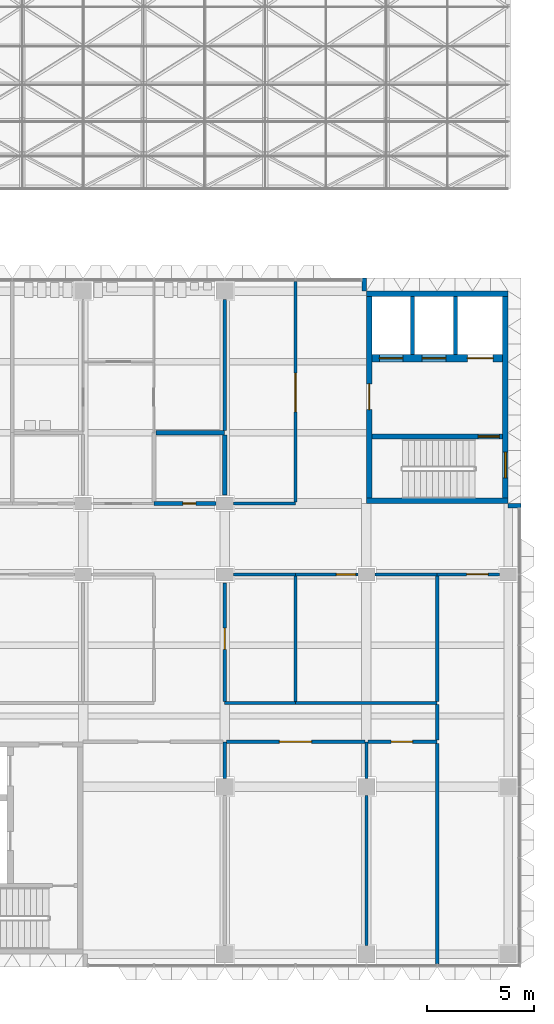
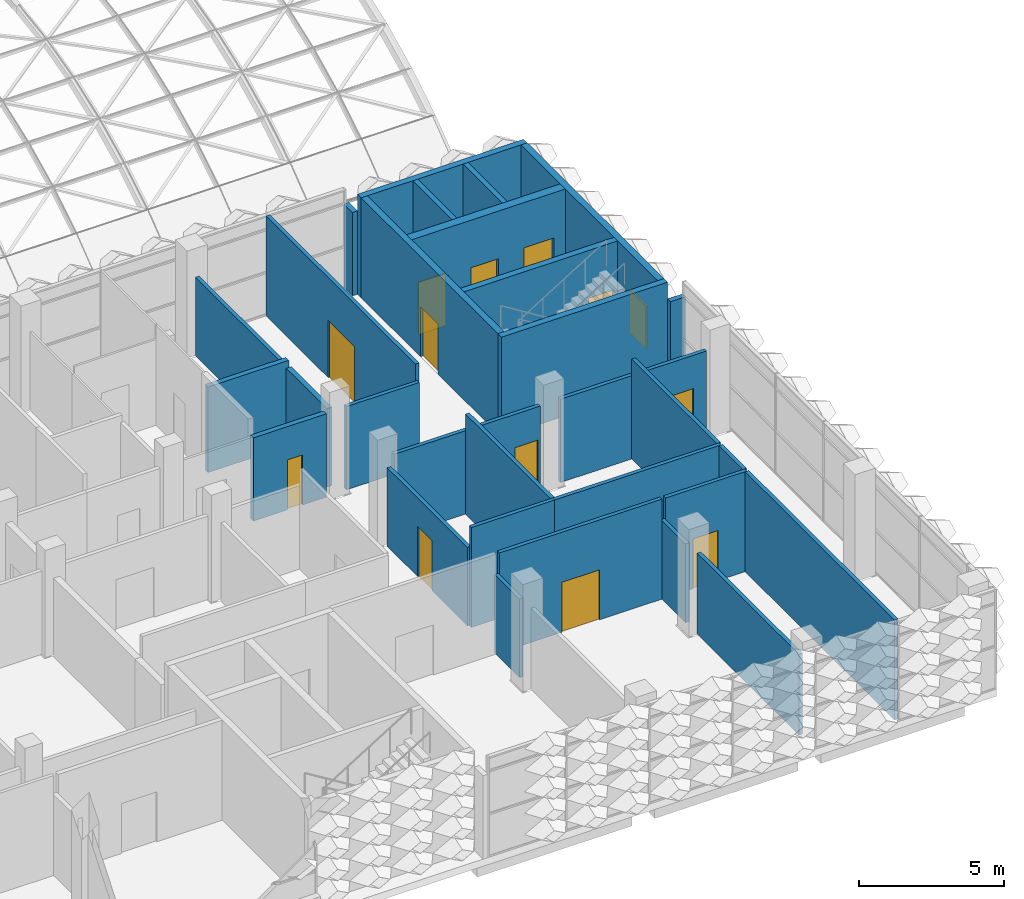
# One storey, part 30 of 85: 32 walls, 12 doors, 1 window, 13 openings.
"""IFC4 building model written with IfcOpenShell, lengths in metres."""

from ifc_helpers import new_model, si_unit, direction, frame, frame_2d, origin, place, context, subcontext, project, spatial, rectangle, extrude, material, layer, layer_set, type_object, element, fill, save


model = new_model("IFC4")

# Units and contexts
model_context = context("Model", 3, precision=1e-05, world=origin(), true_north=direction((0.0, 1.0)))
body_context = subcontext(model_context, "Body", "Model", "MODEL_VIEW")
ifc_project = project(units=[si_unit("LENGTHUNIT", "METRE"), si_unit("AREAUNIT", "SQUARE_METRE"), si_unit("VOLUMEUNIT", "CUBIC_METRE"), si_unit("PLANEANGLEUNIT", "RADIAN"), si_unit("MASSUNIT", "GRAM", prefix="KILO")], contexts=[model_context])

# Site, building, storey
site_placement = place(None, origin())
site = spatial("IfcSite", under=ifc_project, at=site_placement, CompositionType="ELEMENT")
building_placement = place(site_placement, origin())
building = spatial("IfcBuilding", under=site, at=building_placement, Name="Lantern Court Research Institute", CompositionType="ELEMENT")
storey_placement = place(building_placement, frame((0.0, 0.0, 18.89990234375)))
storey = spatial("IfcBuildingStorey", under=building, at=storey_placement, Name="L04", CompositionType="ELEMENT", Elevation=18.89990234375)

# Wall, opening, door
ifc_material_1 = material(Name="Fire-rated gypsum board partition, mineral wool filled")
ifc_layer_1 = layer(ifc_material_1, 0.199951171875)
ifc_layer_set_1 = layer_set([ifc_layer_1], Name="Fire-rated gypsum board partition, mineral wool filled")
wall_type_1 = type_object("IfcWallType", Name="Compartment wall 200 EI 120", PredefinedType="PARTITIONING", material=ifc_layer_set_1)
wall_1_placement = place(storey_placement, frame((62.699951171875, 13.199951171875, 0.0), z_axis=(0.0, 0.0, 1.0), x_axis=(1.0, 0.0, 0.0)))
wall_1 = element("IfcWall", 1, at=wall_1_placement, inside=storey, type_object=wall_type_1, Name="Compartment wall 200 EI 120", PredefinedType="PARTITIONING", context=body_context, shape_type="SweptSolid", body=[
    extrude(rectangle(XDim=2.900146484375, YDim=0.199951171875, at=frame_2d((1.4501953125, 0.0))), origin(), (0.0, 0.0, 1.0), 3.5),
])
opening_1_placement = place(wall_1_placement, frame((1.35009765625, 0.0, 0.0)))
opening_1 = element("IfcOpeningElement", 2, at=opening_1_placement, cuts=wall_1, Name="Opening D5406", PredefinedType="OPENING", context=body_context, shape_type="SweptSolid", body=[
    extrude(rectangle(XDim=0.60009765625, YDim=2.10009765625, at=frame_2d((0.300048828125, 1.050048828125))), frame((0.0, 0.10986328125, 0.0), z_axis=(0.0, -1.0, 0.0), x_axis=(1.0, 0.0, 0.0)), (0.0, 0.0, 1.0), 0.219970703125),
])
ifc_material_2 = material(Name="Solid-core timber door leaf", Category="wood")
ifc_layer_2 = layer(ifc_material_2, 0.06005859375)
ifc_layer_set_2 = layer_set([ifc_layer_2], Name="Solid-core timber door leaf")
door_type_1 = type_object("IfcDoorType", Name="Service riser door 600 x 2100 single FD60", OperationType="NOTDEFINED", PredefinedType="DOOR", material=ifc_layer_set_2)
door_1_placement = place(opening_1_placement, origin())
door_1 = element("IfcDoor", 3, at=door_1_placement, inside=storey, type_object=door_type_1, Name="Door D5406", OperationType="SINGLE_SWING_RIGHT", OverallHeight=2.10009765625, OverallWidth=0.60009765625, PredefinedType="DOOR", context=body_context, shape_type="SweptSolid", body=[
    extrude(rectangle(XDim=0.60009765625, YDim=2.10009765625, at=frame_2d((0.300048828125, 1.050048828125))), frame((0.0, 0.030029296875, 0.0), z_axis=(0.0, -1.0, 0.0), x_axis=(1.0, 0.0, 0.0)), (0.0, 0.0, 1.0), 0.06005859375),
])
fill(opening_1, door_1)

# Walls
wall_2_placement = place(storey_placement, frame((66.0, 16.5, 0.0), z_axis=(0.0, 0.0, 1.0), x_axis=(-1.0, 0.0, 0.0)))
element("IfcWall", 4, at=wall_2_placement, inside=storey, type_object=wall_type_1, Name="Compartment wall 200 EI 120", PredefinedType="PARTITIONING", context=body_context, shape_type="SweptSolid", body=[
    extrude(rectangle(XDim=3.199951171875, YDim=0.199951171875, at=frame_2d((1.60009765625, 0.0))), origin(), (0.0, 0.0, 1.0), 3.60009765625),
])
wall_3_placement = place(storey_placement, frame((66.0, 13.60009765625, 0.0), z_axis=(0.0, 0.0, 1.0), x_axis=(0.0, 1.0, 0.0)))
element("IfcWall", 5, at=wall_3_placement, inside=storey, type_object=wall_type_1, Name="Compartment wall 200 EI 120", PredefinedType="PARTITIONING", context=body_context, shape_type="SweptSolid", body=[
    extrude(rectangle(XDim=2.7998046875, YDim=0.199951171875, at=frame_2d((1.39990234375, 0.0))), origin(), (0.0, 0.0, 1.0), 3.300048828125),
])
ifc_material_3 = material(Name="Fire-rated gypsum board partition, mineral wool filled")
ifc_layer_3 = layer(ifc_material_3, 0.14990234375)
ifc_layer_set_3 = layer_set([ifc_layer_3], Name="Fire-rated gypsum board partition, mineral wool filled")
wall_type_2 = type_object("IfcWallType", Name="Laboratory partition 150 EI 60", PredefinedType="PARTITIONING", material=ifc_layer_set_3)
for number, where, z_axis, x_axis, name in (
    (6, (69.300048828125, 13.199951171875, 0.0), (0.0, 0.0, 1.0), (-1.0, 0.0, 0.0), "Laboratory partition 150 EI 60"),
    (7, (66.39990234375, 9.89990234375, 0.0), (0.0, 0.0, 1.0), (1.0, 0.0, 0.0), "Laboratory partition 150 EI 60"),
):
    element("IfcWall", number, at=place(storey_placement, frame(where, z_axis=z_axis, x_axis=x_axis)), inside=storey, type_object=wall_type_2, Name=name, PredefinedType="PARTITIONING", context=body_context, shape_type="SweptSolid", body=[
        extrude(rectangle(XDim=2.900146484375, YDim=0.14990234375, at=frame_2d((1.4501953125, 0.0))), origin(), (0.0, 0.0, 1.0), 3.5),
    ])

# Wall, opening, door
wall_4_placement = place(storey_placement, frame((69.300048828125, 9.89990234375, 0.0), z_axis=(0.0, 0.0, 1.0), x_axis=(1.0, 0.0, 0.0)))
wall_4 = element("IfcWall", 8, at=wall_4_placement, inside=storey, type_object=wall_type_2, Name="Laboratory partition 150 EI 60", PredefinedType="PARTITIONING", context=body_context, shape_type="SweptSolid", body=[
    extrude(rectangle(XDim=2.89990234375, YDim=0.14990234375, at=frame_2d((1.449951171875, 0.0))), origin(), (0.0, 0.0, 1.0), 3.5),
])
opening_2_placement = place(wall_4_placement, frame((1.89990234375, 0.0, 0.0)))
opening_2 = element("IfcOpeningElement", 9, at=opening_2_placement, cuts=wall_4, Name="Opening D5415", PredefinedType="OPENING", context=body_context, shape_type="SweptSolid", body=[
    extrude(rectangle(XDim=0.89990234375, YDim=2.10009765625, at=frame_2d((0.449951171875, 1.050048828125))), frame((0.0, 0.0849609375, 0.0), z_axis=(0.0, -1.0, 0.0), x_axis=(1.0, 0.0, 0.0)), (0.0, 0.0, 1.0), 0.169921875),
])
ifc_material_4 = material(Name="Solid-core timber door leaf", Category="wood")
ifc_layer_4 = layer(ifc_material_4, 0.06005859375)
ifc_layer_set_4 = layer_set([ifc_layer_4], Name="Solid-core timber door leaf")
door_type_2 = type_object("IfcDoorType", Name="Server room door 900 x 2100 single FD60", OperationType="NOTDEFINED", PredefinedType="DOOR", material=ifc_layer_set_4)
door_2_placement = place(opening_2_placement, origin())
door_2 = element("IfcDoor", 10, at=door_2_placement, inside=storey, type_object=door_type_2, Name="Door D5415", OperationType="SINGLE_SWING_LEFT", OverallHeight=2.10009765625, OverallWidth=0.89990234375, PredefinedType="DOOR", context=body_context, shape_type="SweptSolid", body=[
    extrude(rectangle(XDim=0.89990234375, YDim=2.10009765625, at=frame_2d((0.449951171875, 1.050048828125))), frame((0.0, 0.030029296875, 0.0), z_axis=(0.0, -1.0, 0.0), x_axis=(1.0, 0.0, 0.0)), (0.0, 0.0, 1.0), 0.06005859375),
])
fill(opening_2, door_2)

# Wall
wall_5_placement = place(storey_placement, frame((73.0, 9.89990234375, 0.0), z_axis=(0.0, 0.0, 1.0), x_axis=(1.0, 0.0, 0.0)))
element("IfcWall", 11, at=wall_5_placement, inside=storey, type_object=wall_type_2, Name="Laboratory partition 150 EI 60", PredefinedType="PARTITIONING", context=body_context, shape_type="SweptSolid", body=[
    extrude(rectangle(XDim=2.89990234375, YDim=0.14990234375, at=frame_2d((1.449951171875, 0.0))), origin(), (0.0, 0.0, 1.0), 3.5),
])

# Wall, opening, door
wall_6_placement = place(storey_placement, frame((75.89990234375, 9.89990234375, 0.0), z_axis=(0.0, 0.0, 1.0), x_axis=(1.0, 0.0, 0.0)))
wall_6 = element("IfcWall", 12, at=wall_6_placement, inside=storey, type_object=wall_type_2, Name="Laboratory partition 150 EI 60", PredefinedType="PARTITIONING", context=body_context, shape_type="SweptSolid", body=[
    extrude(rectangle(XDim=2.900146484375, YDim=0.14990234375, at=frame_2d((1.4501953125, 0.0))), origin(), (0.0, 0.0, 1.0), 3.5),
])
opening_3_placement = place(wall_6_placement, frame((1.375, 0.0, 0.0)))
opening_3 = element("IfcOpeningElement", 13, at=opening_3_placement, cuts=wall_6, Name="Opening D5416", PredefinedType="OPENING", context=body_context, shape_type="SweptSolid", body=[
    extrude(rectangle(XDim=1.0, YDim=2.10009765625, at=frame_2d((0.5, 1.050048828125))), frame((0.0, 0.0849609375, 0.0), z_axis=(0.0, -1.0, 0.0), x_axis=(1.0, 0.0, 0.0)), (0.0, 0.0, 1.0), 0.169921875),
])
ifc_material_5 = material(Name="Solid-core timber door leaf with vision panel", Category="wood")
ifc_layer_5 = layer(ifc_material_5, 0.053955078125)
ifc_layer_set_5 = layer_set([ifc_layer_5], Name="Solid-core timber door leaf with vision panel")
door_type_3 = type_object("IfcDoorType", Name="Laboratory door 1000 x 2100 single FD30S", OperationType="NOTDEFINED", PredefinedType="DOOR", material=ifc_layer_set_5)
door_3_placement = place(opening_3_placement, origin())
door_3 = element("IfcDoor", 14, at=door_3_placement, inside=storey, type_object=door_type_3, Name="Door D5416", OperationType="SINGLE_SWING_LEFT", OverallHeight=2.10009765625, OverallWidth=1.0, PredefinedType="DOOR", context=body_context, shape_type="SweptSolid", body=[
    extrude(rectangle(XDim=1.0, YDim=2.10009765625, at=frame_2d((0.5, 1.050048828125))), frame((0.0, 0.02685546875, 0.0), z_axis=(0.0, -1.0, 0.0), x_axis=(1.0, 0.0, 0.0)), (0.0, 0.0, 1.0), 0.053955078125),
])
fill(opening_3, door_3)

# Wall
wall_7_placement = place(storey_placement, frame((66.0, 16.60009765625, 0.0), z_axis=(0.0, 0.0, 1.0), x_axis=(0.0, 1.0, 0.0)))
element("IfcWall", 15, at=wall_7_placement, inside=storey, type_object=wall_type_2, Name="Laboratory partition 150 EI 60", PredefinedType="PARTITIONING", context=body_context, shape_type="SweptSolid", body=[
    extrude(rectangle(XDim=6.099853515625, YDim=0.14990234375, at=frame_2d((3.0498046875, 0.0))), origin(), (0.0, 0.0, 1.0), 3.300048828125),
])

# Wall, opening, door
wall_8_placement = place(storey_placement, frame((69.300048828125, 23.550048828125, 0.0), z_axis=(0.0, 0.0, 1.0), x_axis=(0.0, -1.0, 0.0)))
wall_8 = element("IfcWall", 16, at=wall_8_placement, inside=storey, type_object=wall_type_2, Name="Laboratory partition 150 EI 60", PredefinedType="PARTITIONING", context=body_context, shape_type="SweptSolid", body=[
    extrude(rectangle(XDim=10.275146484375, YDim=0.14990234375, at=frame_2d((5.1376953125, 0.0))), origin(), (0.0, 0.0, 1.0), 4.2001953125),
])
opening_4_placement = place(wall_8_placement, frame((4.27490234375, 0.0, 0.0)))
opening_4 = element("IfcOpeningElement", 17, at=opening_4_placement, cuts=wall_8, Name="Opening D5408", PredefinedType="OPENING", context=body_context, shape_type="SweptSolid", body=[
    extrude(rectangle(XDim=1.800048828125, YDim=2.39990234375, at=frame_2d((0.89990234375, 1.199951171875))), frame((0.0, 0.0849609375, 0.0), z_axis=(0.0, -1.0, 0.0), x_axis=(1.0, 0.0, 0.0)), (0.0, 0.0, 1.0), 0.169921875),
])
ifc_material_6 = material(Name="Solid-core timber door leaf with vision panel", Category="wood")
ifc_layer_6 = layer(ifc_material_6, 0.053955078125)
ifc_layer_set_6 = layer_set([ifc_layer_6], Name="Solid-core timber door leaf with vision panel")
door_type_4 = type_object("IfcDoorType", Name="Laboratory equipment door 1800 x 2400 pair FD30S", OperationType="DOUBLE_DOOR_SINGLE_SWING", PredefinedType="DOOR", material=ifc_layer_set_6)
door_4_placement = place(opening_4_placement, origin())
door_4 = element("IfcDoor", 18, at=door_4_placement, inside=storey, type_object=door_type_4, Name="Door D5408", OperationType="DOUBLE_DOOR_SINGLE_SWING", OverallHeight=2.39990234375, OverallWidth=1.800048828125, PredefinedType="DOOR", context=body_context, shape_type="SweptSolid", body=[
    extrude(rectangle(XDim=1.800048828125, YDim=2.39990234375, at=frame_2d((0.89990234375, 1.199951171875))), frame((0.0, 0.02685546875, 0.0), z_axis=(0.0, -1.0, 0.0), x_axis=(1.0, 0.0, 0.0)), (0.0, 0.0, 1.0), 0.053955078125),
])
fill(opening_4, door_4)

# Walls
wall_9_placement = place(storey_placement, frame((66.0, 0.39990234375, 0.0), z_axis=(0.0, 0.0, 1.0), x_axis=(0.0, 1.0, 0.0)))
element("IfcWall", 19, at=wall_9_placement, inside=storey, type_object=wall_type_2, Name="Laboratory partition 150 EI 60", PredefinedType="PARTITIONING", context=body_context, shape_type="SweptSolid", body=[
    extrude(rectangle(XDim=1.7001953125, YDim=0.14990234375, at=frame_2d((0.85009765625, 0.0))), origin(), (0.0, 0.0, 1.0), 3.300048828125),
])
wall_10_placement = place(storey_placement, frame((72.60009765625, -7.39990234375, 0.0), z_axis=(0.0, 0.0, 1.0), x_axis=(0.0, 1.0, 0.0)))
element("IfcWall", 20, at=wall_10_placement, inside=storey, type_object=wall_type_2, Name="Laboratory partition 150 EI 60", PredefinedType="PARTITIONING", context=body_context, shape_type="SweptSolid", body=[
    extrude(rectangle(XDim=7.0, YDim=0.14990234375, at=frame_2d((3.5, 0.0))), origin(), (0.0, 0.0, 1.0), 3.400146484375),
])
wall_11_placement = place(storey_placement, frame((72.60009765625, 0.39990234375, 0.0), z_axis=(0.0, 0.0, 1.0), x_axis=(0.0, 1.0, 0.0)))
element("IfcWall", 21, at=wall_11_placement, inside=storey, type_object=wall_type_2, Name="Laboratory partition 150 EI 60", PredefinedType="PARTITIONING", context=body_context, shape_type="SweptSolid", body=[
    extrude(rectangle(XDim=1.7001953125, YDim=0.14990234375, at=frame_2d((0.85009765625, 0.0))), origin(), (0.0, 0.0, 1.0), 3.300048828125),
])

# Wall, opening, door
wall_12_placement = place(storey_placement, frame((72.52490234375, 2.10009765625, 0.0), z_axis=(0.0, 0.0, 1.0), x_axis=(-1.0, 0.0, 0.0)))
wall_12 = element("IfcWall", 22, at=wall_12_placement, inside=storey, type_object=wall_type_2, Name="Laboratory partition 150 EI 60", PredefinedType="PARTITIONING", context=body_context, shape_type="SweptSolid", body=[
    extrude(rectangle(XDim=6.449951171875, YDim=0.14990234375, at=frame_2d((3.22509765625, 0.0))), origin(), (0.0, 0.0, 1.0), 4.2001953125),
])
opening_5_placement = place(wall_12_placement, frame((2.47509765625, 0.0, 0.0)))
opening_5 = element("IfcOpeningElement", 23, at=opening_5_placement, cuts=wall_12, Name="Opening D5410", PredefinedType="OPENING", context=body_context, shape_type="SweptSolid", body=[
    extrude(rectangle(XDim=1.5, YDim=2.10009765625, at=frame_2d((0.75, 1.050048828125))), frame((0.0, 0.0849609375, 0.0), z_axis=(0.0, -1.0, 0.0), x_axis=(1.0, 0.0, 0.0)), (0.0, 0.0, 1.0), 0.169921875),
])
ifc_material_7 = material(Name="Solid-core timber door leaf with vision panel", Category="wood")
ifc_layer_7 = layer(ifc_material_7, 0.053955078125)
ifc_layer_set_7 = layer_set([ifc_layer_7], Name="Solid-core timber door leaf with vision panel")
door_type_5 = type_object("IfcDoorType", Name="Laboratory double door 1500 x 2100 pair FD30S", OperationType="DOUBLE_DOOR_SINGLE_SWING", PredefinedType="DOOR", material=ifc_layer_set_7)
door_5_placement = place(opening_5_placement, origin())
door_5 = element("IfcDoor", 24, at=door_5_placement, inside=storey, type_object=door_type_5, Name="Door D5410", OperationType="DOUBLE_DOOR_SINGLE_SWING", OverallHeight=2.10009765625, OverallWidth=1.5, PredefinedType="DOOR", context=body_context, shape_type="SweptSolid", body=[
    extrude(rectangle(XDim=1.5, YDim=2.10009765625, at=frame_2d((0.75, 1.050048828125))), frame((0.0, 0.02685546875, 0.0), z_axis=(0.0, -1.0, 0.0), x_axis=(1.0, 0.0, 0.0)), (0.0, 0.0, 1.0), 0.053955078125),
])
fill(opening_5, door_5)

wall_13_placement = place(storey_placement, frame((75.89990234375, 2.10009765625, 0.0), z_axis=(0.0, 0.0, 1.0), x_axis=(-1.0, 0.0, 0.0)))
wall_13 = element("IfcWall", 25, at=wall_13_placement, inside=storey, type_object=wall_type_2, Name="Laboratory partition 150 EI 60", PredefinedType="PARTITIONING", context=body_context, shape_type="SweptSolid", body=[
    extrude(rectangle(XDim=3.224853515625, YDim=0.14990234375, at=frame_2d((1.6123046875, 0.0))), origin(), (0.0, 0.0, 1.0), 4.2001953125),
])
opening_6_placement = place(wall_13_placement, frame((1.14990234375, 0.0, 0.0)))
opening_6 = element("IfcOpeningElement", 26, at=opening_6_placement, cuts=wall_13, Name="Opening D5411", PredefinedType="OPENING", context=body_context, shape_type="SweptSolid", body=[
    extrude(rectangle(XDim=1.0, YDim=2.10009765625, at=frame_2d((0.5, 1.050048828125))), frame((0.0, 0.0849609375, 0.0), z_axis=(0.0, -1.0, 0.0), x_axis=(1.0, 0.0, 0.0)), (0.0, 0.0, 1.0), 0.169921875),
])
door_6_placement = place(opening_6_placement, origin())
door_6 = element("IfcDoor", 27, at=door_6_placement, inside=storey, type_object=door_type_3, Name="Door D5411", OperationType="SINGLE_SWING_LEFT", OverallHeight=2.10009765625, OverallWidth=1.0, PredefinedType="DOOR", context=body_context, shape_type="SweptSolid", body=[
    extrude(rectangle(XDim=1.0, YDim=2.10009765625, at=frame_2d((0.5, 1.050048828125))), frame((0.0, 0.02685546875, 0.0), z_axis=(0.0, -1.0, 0.0), x_axis=(1.0, 0.0, 0.0)), (0.0, 0.0, 1.0), 0.053955078125),
])
fill(opening_6, door_6)

# Walls
wall_14_placement = place(storey_placement, frame((75.89990234375, -8.25, 0.0), z_axis=(0.0, 0.0, 1.0), x_axis=(0.0, 1.0, 0.0)))
element("IfcWall", 28, at=wall_14_placement, inside=storey, type_object=wall_type_2, Name="Laboratory partition 150 EI 60", PredefinedType="PARTITIONING", context=body_context, shape_type="SweptSolid", body=[
    extrude(rectangle(XDim=10.27490234375, YDim=0.14990234375, at=frame_2d((5.137451171875, 0.0))), origin(), (0.0, 0.0, 1.0), 4.2001953125),
])
wall_15_placement = place(storey_placement, frame((69.300048828125, 3.89990234375, 0.0), z_axis=(0.0, 0.0, 1.0), x_axis=(-1.0, 0.0, 0.0)))
element("IfcWall", 29, at=wall_15_placement, inside=storey, type_object=wall_type_2, Name="Laboratory partition 150 EI 60", PredefinedType="PARTITIONING", context=body_context, shape_type="SweptSolid", body=[
    extrude(rectangle(XDim=3.300048828125, YDim=0.14990234375, at=frame_2d((1.64990234375, 0.0))), origin(), (0.0, 0.0, 1.0), 4.2001953125),
])
wall_16_placement = place(storey_placement, frame((75.89990234375, 3.89990234375, 0.0), z_axis=(0.0, 0.0, 1.0), x_axis=(-1.0, 0.0, 0.0)))
element("IfcWall", 30, at=wall_16_placement, inside=storey, type_object=wall_type_2, Name="Laboratory partition 150 EI 60", PredefinedType="PARTITIONING", context=body_context, shape_type="SweptSolid", body=[
    extrude(rectangle(XDim=6.599853515625, YDim=0.14990234375, at=frame_2d((3.2998046875, 0.0))), origin(), (0.0, 0.0, 1.0), 4.2001953125),
])
wall_17_placement = place(storey_placement, frame((75.89990234375, 2.175048828125, 0.0), z_axis=(0.0, 0.0, 1.0), x_axis=(0.0, 1.0, 0.0)))
element("IfcWall", 31, at=wall_17_placement, inside=storey, type_object=wall_type_2, Name="Laboratory partition 150 EI 60", PredefinedType="PARTITIONING", context=body_context, shape_type="SweptSolid", body=[
    extrude(rectangle(XDim=1.64990234375, YDim=0.14990234375, at=frame_2d((0.824951171875, 0.0))), origin(), (0.0, 0.0, 1.0), 4.2001953125),
])

# Wall, opening, door
wall_18_placement = place(storey_placement, frame((66.0, 3.97509765625, 0.0), z_axis=(0.0, 0.0, 1.0), x_axis=(0.0, 1.0, 0.0)))
wall_18 = element("IfcWall", 32, at=wall_18_placement, inside=storey, type_object=wall_type_2, Name="Laboratory partition 150 EI 60", PredefinedType="PARTITIONING", context=body_context, shape_type="SweptSolid", body=[
    extrude(rectangle(XDim=5.52490234375, YDim=0.14990234375, at=frame_2d((2.762451171875, 0.0))), origin(), (0.0, 0.0, 1.0), 3.300048828125),
])
opening_7_placement = place(wall_18_placement, frame((2.425048828125, 0.0, 0.0)))
opening_7 = element("IfcOpeningElement", 33, at=opening_7_placement, cuts=wall_18, Name="Opening D5414", PredefinedType="OPENING", context=body_context, shape_type="SweptSolid", body=[
    extrude(rectangle(XDim=1.0, YDim=2.10009765625, at=frame_2d((0.5, 1.050048828125))), frame((0.0, 0.0849609375, 0.0), z_axis=(0.0, -1.0, 0.0), x_axis=(1.0, 0.0, 0.0)), (0.0, 0.0, 1.0), 0.169921875),
])
door_7_placement = place(opening_7_placement, origin())
door_7 = element("IfcDoor", 34, at=door_7_placement, inside=storey, type_object=door_type_3, Name="Door D5414", OperationType="SINGLE_SWING_LEFT", OverallHeight=2.10009765625, OverallWidth=1.0, PredefinedType="DOOR", context=body_context, shape_type="SweptSolid", body=[
    extrude(rectangle(XDim=1.0, YDim=2.10009765625, at=frame_2d((0.5, 1.050048828125))), frame((0.0, 0.02685546875, 0.0), z_axis=(0.0, -1.0, 0.0), x_axis=(1.0, 0.0, 0.0)), (0.0, 0.0, 1.0), 0.053955078125),
])
fill(opening_7, door_7)

# Walls
for number, where, z_axis, x_axis, name in (
    (35, (69.300048828125, 3.97509765625, 0.0), (0.0, 0.0, 1.0), (0.0, 1.0, 0.0), "Laboratory partition 150 EI 60"),
    (36, (75.89990234375, 3.97509765625, 0.0), (0.0, 0.0, 1.0), (0.0, 1.0, 0.0), "Laboratory partition 150 EI 60"),
):
    element("IfcWall", number, at=place(storey_placement, frame(where, z_axis=z_axis, x_axis=x_axis)), inside=storey, type_object=wall_type_2, Name=name, PredefinedType="PARTITIONING", context=body_context, shape_type="SweptSolid", body=[
        extrude(rectangle(XDim=5.849853515625, YDim=0.14990234375, at=frame_2d((2.9248046875, 0.0))), origin(), (0.0, 0.0, 1.0), 4.2001953125),
    ])
ifc_material_8 = material(Name="Concrete C40/50", Category="concrete")
ifc_layer_8 = layer(ifc_material_8, 0.25)
ifc_layer_set_8 = layer_set([ifc_layer_8], Name="Concrete C40/50")
wall_type_3 = type_object("IfcWallType", Name="RC core wall 250", PredefinedType="SHEAR", material=ifc_layer_set_8)
wall_19_placement = place(storey_placement, frame((72.60009765625, 13.324951171875, 0.0), z_axis=(0.0, 0.0, 1.0), x_axis=(1.0, 0.0, 0.0)))
element("IfcWall", 37, at=wall_19_placement, inside=storey, type_object=wall_type_3, Name="South wall of core TC-E", PredefinedType="SHEAR", context=body_context, shape_type="SweptSolid", body=[
    extrude(rectangle(XDim=6.599853515625, YDim=0.25, at=frame_2d((3.2998046875, 0.0))), origin(), (0.0, 0.0, 1.0), 4.2001953125),
])

# Wall, opening, door
wall_20_placement = place(storey_placement, frame((72.72509765625, 13.449951171875, 0.0), z_axis=(0.0, 0.0, 1.0), x_axis=(0.0, 1.0, 0.0)))
wall_20 = element("IfcWall", 38, at=wall_20_placement, inside=storey, type_object=wall_type_3, Name="West wall of core TC-E", PredefinedType="SHEAR", context=body_context, shape_type="SweptSolid", body=[
    extrude(rectangle(XDim=9.400146484375, YDim=0.25, at=frame_2d((4.7001953125, 0.0))), origin(), (0.0, 0.0, 1.0), 4.2001953125),
])
opening_8_placement = place(wall_20_placement, frame((4.125, 0.0, 0.0)))
opening_8 = element("IfcOpeningElement", 39, at=opening_8_placement, cuts=wall_20, Name="Opening D7167", PredefinedType="OPENING", context=body_context, shape_type="SweptSolid", body=[
    extrude(rectangle(XDim=1.199951171875, YDim=2.10009765625, at=frame_2d((0.60009765625, 1.050048828125))), frame((0.0, 0.135009765625, 0.0), z_axis=(0.0, -1.0, 0.0), x_axis=(1.0, 0.0, 0.0)), (0.0, 0.0, 1.0), 0.27001953125),
])
ifc_material_9 = material(Name="Steel fire door leaf with smoke seals", Category="steel")
door_type_6 = type_object("IfcDoorType", Name="Door 1200 x 2100 fire rated FD60S", OperationType="NOTDEFINED", PredefinedType="DOOR", material=ifc_material_9)
door_8_placement = place(opening_8_placement, origin())
door_8 = element("IfcDoor", 40, at=door_8_placement, inside=storey, type_object=door_type_6, Name="Lobby door", OperationType="SINGLE_SWING_LEFT", OverallHeight=2.10009765625, OverallWidth=1.199951171875, PredefinedType="DOOR", context=body_context, shape_type="SweptSolid", body=[
    extrude(rectangle(XDim=1.199951171875, YDim=2.10009765625, at=frame_2d((0.60009765625, 1.050048828125))), frame((0.0, 0.02490234375, 0.0), z_axis=(0.0, -1.0, 0.0), x_axis=(1.0, 0.0, 0.0)), (0.0, 0.0, 1.0), 0.050048828125),
])
fill(opening_8, door_8)

# Wall
ifc_material_10 = material(Name="Concrete C40/50", Category="concrete")
ifc_layer_9 = layer(ifc_material_10, 0.25)
ifc_layer_set_9 = layer_set([ifc_layer_9], Name="Concrete C40/50")
wall_type_4 = type_object("IfcWallType", Name="RC core wall 250 facade", PredefinedType="SHEAR", material=ifc_layer_set_9)
wall_21_placement = place(storey_placement, frame((72.60009765625, 22.97509765625, 0.0), z_axis=(0.0, 0.0, 1.0), x_axis=(1.0, 0.0, 0.0)))
element("IfcWall", 41, at=wall_21_placement, inside=storey, type_object=wall_type_4, Name="North wall of core TC-E", PredefinedType="SHEAR", context=body_context, shape_type="SweptSolid", body=[
    extrude(rectangle(XDim=6.599853515625, YDim=0.25, at=frame_2d((3.2998046875, 0.0))), origin(), (0.0, 0.0, 1.0), 4.2001953125),
])

# Wall, opening, window
wall_22_placement = place(storey_placement, frame((79.074951171875, 13.449951171875, 0.0), z_axis=(0.0, 0.0, 1.0), x_axis=(0.0, 1.0, 0.0)))
wall_22 = element("IfcWall", 42, at=wall_22_placement, inside=storey, type_object=wall_type_4, Name="East wall of core TC-E", PredefinedType="SHEAR", context=body_context, shape_type="SweptSolid", body=[
    extrude(rectangle(XDim=9.400146484375, YDim=0.25, at=frame_2d((4.7001953125, 0.0))), origin(), (0.0, 0.0, 1.0), 4.2001953125),
])
opening_9_placement = place(wall_22_placement, frame((0.949951171875, 0.0, 0.699951171875)))
opening_9 = element("IfcOpeningElement", 43, at=opening_9_placement, cuts=wall_22, Name="Opening W7", PredefinedType="OPENING", context=body_context, shape_type="SweptSolid", body=[
    extrude(rectangle(XDim=1.199951171875, YDim=1.800048828125, at=frame_2d((0.60009765625, 0.89990234375))), frame((0.0, 0.135009765625, 0.0), z_axis=(0.0, -1.0, 0.0), x_axis=(1.0, 0.0, 0.0)), (0.0, 0.0, 1.0), 0.27001953125),
])
ifc_material_11 = material(Name="Aluminium alloy 6063-T6 frame with laminated glass", Category="aluminium")
window_type = type_object("IfcWindowType", Name="Stair window 1200 x 1800", PartitioningType="SINGLE_PANEL", PredefinedType="WINDOW", material=ifc_material_11)
window_placement = place(opening_9_placement, origin())
window = element("IfcWindow", 44, at=window_placement, inside=storey, type_object=window_type, Name="Stair window", OverallHeight=1.800048828125, OverallWidth=1.199951171875, PartitioningType="SINGLE_PANEL", PredefinedType="WINDOW", context=body_context, shape_type="SweptSolid", body=[
    extrude(rectangle(XDim=1.199951171875, YDim=1.800048828125, at=frame_2d((0.60009765625, 0.89990234375))), frame((0.0, 0.030029296875, 0.0), z_axis=(0.0, -1.0, 0.0), x_axis=(1.0, 0.0, 0.0)), (0.0, 0.0, 1.0), 0.06005859375),
])
fill(opening_9, window)

# Walls
ifc_material_12 = material(Name="Concrete C40/50", Category="concrete")
ifc_layer_10 = layer(ifc_material_12, 0.199951171875)
ifc_layer_set_10 = layer_set([ifc_layer_10], Name="Concrete C40/50")
wall_type_5 = type_object("IfcWallType", Name="RC shaft wall 200", PredefinedType="SHEAR", material=ifc_layer_set_10)
for number, where, z_axis, x_axis, name in (
    (45, (74.75, 20.14990234375, 0.0), (0.0, 0.0, 1.0), (0.0, 1.0, 0.0), "Lift shaft wall of core TC-E"),
    (46, (76.75, 20.14990234375, 0.0), (0.0, 0.0, 1.0), (0.0, 1.0, 0.0), "Lift shaft wall of core TC-E"),
):
    element("IfcWall", number, at=place(storey_placement, frame(where, z_axis=z_axis, x_axis=x_axis)), inside=storey, type_object=wall_type_5, Name=name, PredefinedType="SHEAR", context=body_context, shape_type="SweptSolid", body=[
        extrude(rectangle(XDim=2.7001953125, YDim=0.199951171875, at=frame_2d((1.35009765625, 0.0))), origin(), (0.0, 0.0, 1.0), 4.2001953125),
    ])

# Wall, opening, door
ifc_material_13 = material(Name="Concrete C40/50", Category="concrete")
ifc_layer_11 = layer(ifc_material_13, 0.25)
ifc_layer_set_11 = layer_set([ifc_layer_11], Name="Concrete C40/50")
wall_type_6 = type_object("IfcWallType", Name="RC shaft wall 250", PredefinedType="SHEAR", material=ifc_layer_set_11)
wall_23_placement = place(storey_placement, frame((72.85009765625, 16.324951171875, 0.0), z_axis=(0.0, 0.0, 1.0), x_axis=(1.0, 0.0, 0.0)))
wall_23 = element("IfcWall", 47, at=wall_23_placement, inside=storey, type_object=wall_type_6, Name="Stair wall of core TC-E", PredefinedType="SHEAR", context=body_context, shape_type="SweptSolid", body=[
    extrude(rectangle(XDim=6.099853515625, YDim=0.25, at=frame_2d((3.0498046875, 0.0))), origin(), (0.0, 0.0, 1.0), 4.2001953125),
])
opening_10_placement = place(wall_23_placement, frame((4.949951171875, 0.0, 0.0)))
opening_10 = element("IfcOpeningElement", 48, at=opening_10_placement, cuts=wall_23, Name="Opening D7168", PredefinedType="OPENING", context=body_context, shape_type="SweptSolid", body=[
    extrude(rectangle(XDim=1.0, YDim=2.199951171875, at=frame_2d((0.5, 1.10009765625))), frame((0.0, 0.135009765625, 0.0), z_axis=(0.0, -1.0, 0.0), x_axis=(1.0, 0.0, 0.0)), (0.0, 0.0, 1.0), 0.27001953125),
])
ifc_material_14 = material(Name="Steel fire door leaf with smoke seals", Category="steel")
door_type_7 = type_object("IfcDoorType", Name="Door 1000 x 2200 fire rated FD60S", OperationType="NOTDEFINED", PredefinedType="DOOR", material=ifc_material_14)
door_9_placement = place(opening_10_placement, origin())
door_9 = element("IfcDoor", 49, at=door_9_placement, inside=storey, type_object=door_type_7, Name="Stair door", OperationType="SINGLE_SWING_RIGHT", OverallHeight=2.199951171875, OverallWidth=1.0, PredefinedType="DOOR", context=body_context, shape_type="SweptSolid", body=[
    extrude(rectangle(XDim=1.0, YDim=2.199951171875, at=frame_2d((0.5, 1.10009765625))), frame((0.0, 0.02490234375, 0.0), z_axis=(0.0, -1.0, 0.0), x_axis=(1.0, 0.0, 0.0)), (0.0, 0.0, 1.0), 0.050048828125),
])
fill(opening_10, door_9)

# Wall, openings, doors
ifc_material_15 = material(Name="Concrete C40/50", Category="concrete")
ifc_layer_12 = layer(ifc_material_15, 0.35009765625)
ifc_layer_set_12 = layer_set([ifc_layer_12], Name="Concrete C40/50")
wall_type_7 = type_object("IfcWallType", Name="RC shaft wall 350", PredefinedType="SHEAR", material=ifc_layer_set_12)
wall_24_placement = place(storey_placement, frame((72.85009765625, 19.97509765625, 0.0), z_axis=(0.0, 0.0, 1.0), x_axis=(1.0, 0.0, 0.0)))
wall_24 = element("IfcWall", 50, at=wall_24_placement, inside=storey, type_object=wall_type_7, Name="Lift shaft wall of core TC-E", PredefinedType="SHEAR", context=body_context, shape_type="SweptSolid", body=[
    extrude(rectangle(XDim=6.099853515625, YDim=0.35009765625, at=frame_2d((3.0498046875, 0.0))), origin(), (0.0, 0.0, 1.0), 4.2001953125),
])
opening_11_placement = place(wall_24_placement, frame((0.35009765625, 0.0, 0.0)))
opening_11 = element("IfcOpeningElement", 51, at=opening_11_placement, cuts=wall_24, Name="Opening D7169", PredefinedType="OPENING", context=body_context, shape_type="SweptSolid", body=[
    extrude(rectangle(XDim=1.10009765625, YDim=2.199951171875, at=frame_2d((0.550048828125, 1.10009765625))), frame((0.0, 0.18505859375, 0.0), z_axis=(0.0, -1.0, 0.0), x_axis=(1.0, 0.0, 0.0)), (0.0, 0.0, 1.0), 0.3701171875),
])
opening_12_placement = place(wall_24_placement, frame((2.35009765625, 0.0, 0.0)))
opening_12 = element("IfcOpeningElement", 52, at=opening_12_placement, cuts=wall_24, Name="Opening D7170", PredefinedType="OPENING", context=body_context, shape_type="SweptSolid", body=[
    extrude(rectangle(XDim=1.10009765625, YDim=2.199951171875, at=frame_2d((0.550048828125, 1.10009765625))), frame((0.0, 0.18505859375, 0.0), z_axis=(0.0, -1.0, 0.0), x_axis=(1.0, 0.0, 0.0)), (0.0, 0.0, 1.0), 0.3701171875),
])
opening_13_placement = place(wall_24_placement, frame((4.449951171875, 0.0, 0.0)))
opening_13 = element("IfcOpeningElement", 53, at=opening_13_placement, cuts=wall_24, Name="Opening D7171", PredefinedType="OPENING", context=body_context, shape_type="SweptSolid", body=[
    extrude(rectangle(XDim=1.199951171875, YDim=2.300048828125, at=frame_2d((0.60009765625, 1.14990234375))), frame((0.0, 0.18505859375, 0.0), z_axis=(0.0, -1.0, 0.0), x_axis=(1.0, 0.0, 0.0)), (0.0, 0.0, 1.0), 0.3701171875),
])
ifc_material_16 = material(Name="Stainless steel landing door panels", Category="steel")
door_type_8 = type_object("IfcDoorType", Name="Lift landing door 1100 x 2200 sliding FD60", OperationType="DOUBLE_DOOR_SLIDING", PredefinedType="NOTDEFINED", material=ifc_material_16)
door_10_placement = place(opening_11_placement, origin())
door_10 = element("IfcDoor", 54, at=door_10_placement, inside=storey, type_object=door_type_8, Name="Landing door", OperationType="DOUBLE_DOOR_SLIDING", OverallHeight=2.199951171875, OverallWidth=1.10009765625, PredefinedType="NOTDEFINED", context=body_context, shape_type="SweptSolid", body=[
    extrude(rectangle(XDim=1.10009765625, YDim=2.199951171875, at=frame_2d((0.550048828125, 1.10009765625))), frame((0.0, 0.02490234375, 0.0), z_axis=(0.0, -1.0, 0.0), x_axis=(1.0, 0.0, 0.0)), (0.0, 0.0, 1.0), 0.050048828125),
])
fill(opening_11, door_10)
door_11_placement = place(opening_12_placement, origin())
door_11 = element("IfcDoor", 55, at=door_11_placement, inside=storey, type_object=door_type_8, Name="Landing door", OperationType="DOUBLE_DOOR_SLIDING", OverallHeight=2.199951171875, OverallWidth=1.10009765625, PredefinedType="NOTDEFINED", context=body_context, shape_type="SweptSolid", body=[
    extrude(rectangle(XDim=1.10009765625, YDim=2.199951171875, at=frame_2d((0.550048828125, 1.10009765625))), frame((0.0, 0.02490234375, 0.0), z_axis=(0.0, -1.0, 0.0), x_axis=(1.0, 0.0, 0.0)), (0.0, 0.0, 1.0), 0.050048828125),
])
fill(opening_12, door_11)
ifc_material_17 = material(Name="Stainless steel landing door panels", Category="steel")
door_type_9 = type_object("IfcDoorType", Name="Lift landing door 1200 x 2300 sliding FD60", OperationType="DOUBLE_DOOR_SLIDING", PredefinedType="NOTDEFINED", material=ifc_material_17)
door_12_placement = place(opening_13_placement, origin())
door_12 = element("IfcDoor", 56, at=door_12_placement, inside=storey, type_object=door_type_9, Name="Landing door", OperationType="DOUBLE_DOOR_SLIDING", OverallHeight=2.300048828125, OverallWidth=1.199951171875, PredefinedType="NOTDEFINED", context=body_context, shape_type="SweptSolid", body=[
    extrude(rectangle(XDim=1.199951171875, YDim=2.300048828125, at=frame_2d((0.60009765625, 1.14990234375))), frame((0.0, 0.02490234375, 0.0), z_axis=(0.0, -1.0, 0.0), x_axis=(1.0, 0.0, 0.0)), (0.0, 0.0, 1.0), 0.050048828125),
])
fill(opening_13, door_12)

# Walls
ifc_material_18 = material(Name="Concrete C40/50", Category="concrete")
ifc_layer_13 = layer(ifc_material_18, 0.199951171875)
ifc_layer_set_13 = layer_set([ifc_layer_13], Name="Concrete C40/50")
wall_type_8 = type_object("IfcWallType", Name="Return wall 200 concrete EI 120 aluminium faced", PredefinedType="STANDARD", material=ifc_layer_set_13)
wall_25_placement = place(storey_placement, frame((79.199951171875, 13.10009765625, 0.0), z_axis=(0.0, 0.0, 1.0), x_axis=(1.0, 0.0, 0.0)))
element("IfcWall", 57, at=wall_25_placement, inside=storey, type_object=wall_type_8, Name="Core return wall 48", PredefinedType="STANDARD", context=body_context, shape_type="SweptSolid", body=[
    extrude(rectangle(XDim=0.60009765625, YDim=0.199951171875, at=frame_2d((0.300048828125, 0.0))), origin(), (0.0, 0.0, 1.0), 3.5),
])
wall_26_placement = place(storey_placement, frame((72.5, 23.10009765625, 0.0), z_axis=(0.0, 0.0, 1.0), x_axis=(0.0, 1.0, 0.0)))
element("IfcWall", 58, at=wall_26_placement, inside=storey, type_object=wall_type_8, Name="Core return wall 49", PredefinedType="STANDARD", context=body_context, shape_type="SweptSolid", body=[
    extrude(rectangle(XDim=0.599853515625, YDim=0.199951171875, at=frame_2d((0.2998046875, 0.0))), origin(), (0.0, 0.0, 1.0), 3.5),
])

save(model, "model.ifc")
